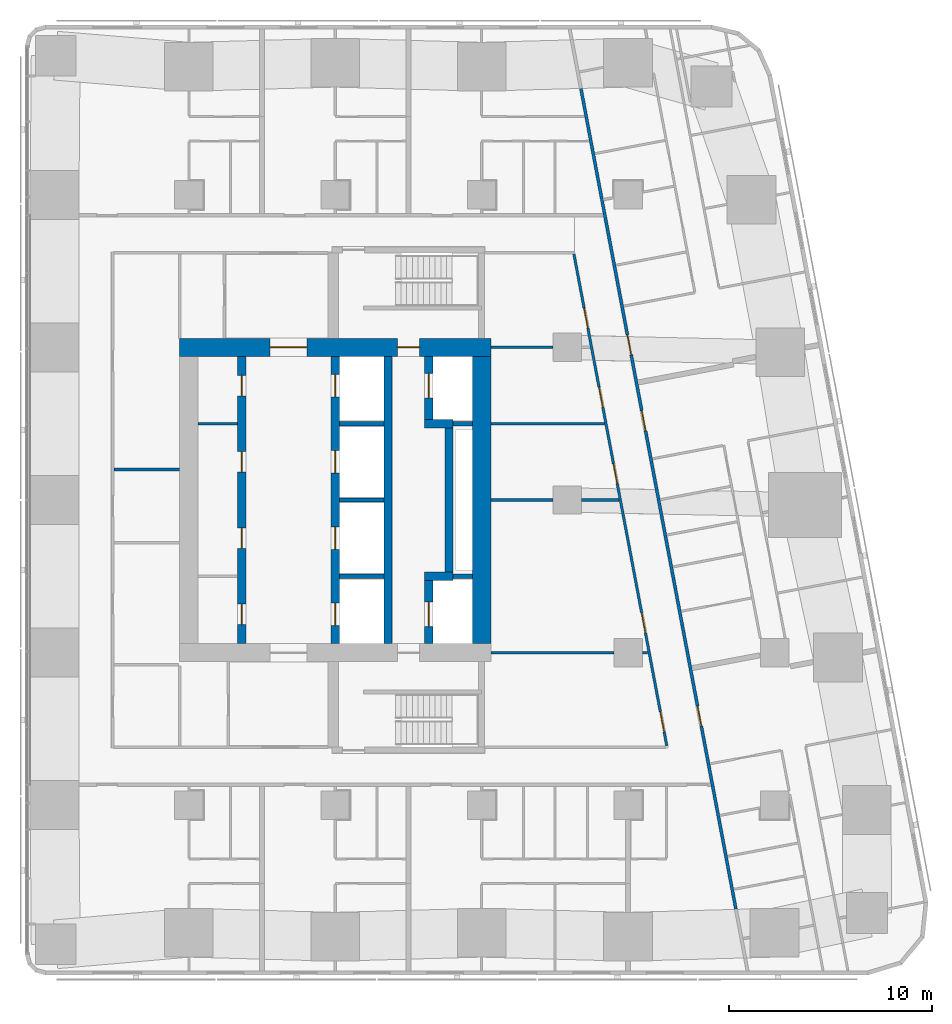
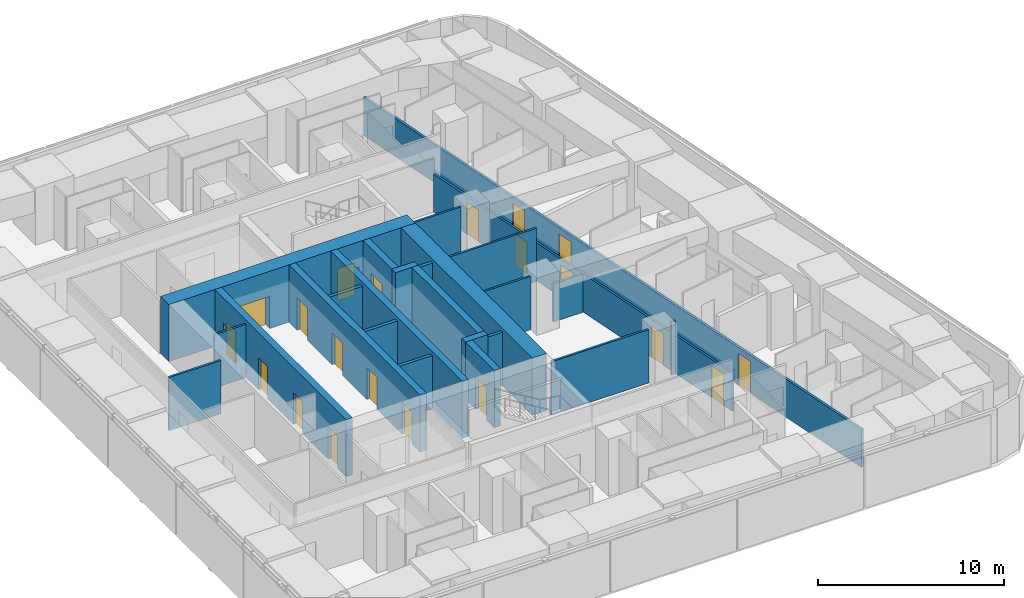
# One storey, part 9 of 17: 25 walls, 20 doors, 20 openings.
"""IFC4 building model written with IfcOpenShell, lengths in metres."""

from ifc_helpers import new_model, si_unit, direction, frame, frame_2d, origin, place, context, subcontext, project, spatial, rectangle, extrude, material, layer, layer_set, type_object, element, fill, save


model = new_model("IFC4")

# Units and contexts
model_context = context("Model", 3, precision=1e-05, world=origin(), true_north=direction((0.0, 1.0)))
body_context = subcontext(model_context, "Body", "Model", "MODEL_VIEW")
ifc_project = project(units=[si_unit("LENGTHUNIT", "METRE"), si_unit("AREAUNIT", "SQUARE_METRE"), si_unit("VOLUMEUNIT", "CUBIC_METRE"), si_unit("PLANEANGLEUNIT", "RADIAN"), si_unit("MASSUNIT", "GRAM", prefix="KILO")], contexts=[model_context])

# Site, building, storey
site_placement = place(None, origin())
site = spatial("IfcSite", under=ifc_project, at=site_placement, CompositionType="ELEMENT")
building_placement = place(site_placement, origin())
building = spatial("IfcBuilding", under=site, at=building_placement, Name="Sheger Commons Tower", CompositionType="ELEMENT")
storey_placement = place(building_placement, frame((0.0, 0.0, 208.699951171875)))
storey = spatial("IfcBuildingStorey", under=building, at=storey_placement, Name="L53", CompositionType="ELEMENT", Elevation=208.699951171875)

# Wall, openings, doors
ifc_material_1 = material(Name="Concrete C50/60", Category="concrete")
ifc_layer_1 = layer(ifc_material_1, 0.39990234375)
ifc_layer_set_1 = layer_set([ifc_layer_1], Name="CORE INNER WALL 400")
wall_type_1 = type_object("IfcWallType", Name="CORE INNER WALL 400", PredefinedType="SHEAR", material=ifc_layer_set_1)
wall_1_placement = place(storey_placement, frame((17.0, 15.449951171875, 0.0), z_axis=(0.0, 0.0, 1.0), x_axis=(0.0, 1.0, 0.0)))
wall_1 = element("IfcWall", 1, at=wall_1_placement, inside=storey, type_object=wall_type_1, Name="Core inner wall A L53", PredefinedType="SHEAR", context=body_context, shape_type="SweptSolid", body=[
    extrude(rectangle(XDim=14.10009765625, YDim=0.39990234375, at=frame_2d((7.050048828125, 0.0))), origin(), (0.0, 0.0, 1.0), 3.75),
])
opening_1_placement = place(wall_1_placement, frame((0.925048828125, 0.0, 0.0)))
opening_1 = element("IfcOpeningElement", 2, at=opening_1_placement, cuts=wall_1, Name="Opening D4", PredefinedType="OPENING", context=body_context, shape_type="SweptSolid", body=[
    extrude(rectangle(XDim=1.0, YDim=2.10009765625, at=frame_2d((0.5, 1.050048828125))), frame((0.0, 0.2099609375, 0.0), z_axis=(0.0, -1.0, 0.0), x_axis=(1.0, 0.0, 0.0)), (0.0, 0.0, 1.0), 0.419921875),
])
opening_2_placement = place(wall_1_placement, frame((4.675048828125, 0.0, 0.0)))
opening_2 = element("IfcOpeningElement", 3, at=opening_2_placement, cuts=wall_1, Name="Opening D4", PredefinedType="OPENING", context=body_context, shape_type="SweptSolid", body=[
    extrude(rectangle(XDim=1.0, YDim=2.10009765625, at=frame_2d((0.5, 1.050048828125))), frame((0.0, 0.2099609375, 0.0), z_axis=(0.0, -1.0, 0.0), x_axis=(1.0, 0.0, 0.0)), (0.0, 0.0, 1.0), 0.419921875),
])
opening_3_placement = place(wall_1_placement, frame((8.425048828125, 0.0, 0.0)))
opening_3 = element("IfcOpeningElement", 4, at=opening_3_placement, cuts=wall_1, Name="Opening D4", PredefinedType="OPENING", context=body_context, shape_type="SweptSolid", body=[
    extrude(rectangle(XDim=1.0, YDim=2.10009765625, at=frame_2d((0.5, 1.050048828125))), frame((0.0, 0.2099609375, 0.0), z_axis=(0.0, -1.0, 0.0), x_axis=(1.0, 0.0, 0.0)), (0.0, 0.0, 1.0), 0.419921875),
])
opening_4_placement = place(wall_1_placement, frame((12.175048828125, 0.0, 0.0)))
opening_4 = element("IfcOpeningElement", 5, at=opening_4_placement, cuts=wall_1, Name="Opening D4", PredefinedType="OPENING", context=body_context, shape_type="SweptSolid", body=[
    extrude(rectangle(XDim=1.0, YDim=2.10009765625, at=frame_2d((0.5, 1.050048828125))), frame((0.0, 0.2099609375, 0.0), z_axis=(0.0, -1.0, 0.0), x_axis=(1.0, 0.0, 0.0)), (0.0, 0.0, 1.0), 0.419921875),
])
ifc_material_2 = material(Name="Steel door set, fire rated", Category="steel")
door_type_1 = type_object("IfcDoorType", Name="SERVICE DOOR 1000x2100", OperationType="NOTDEFINED", PredefinedType="DOOR", material=ifc_material_2)
door_1_placement = place(opening_1_placement, origin())
door_1 = element("IfcDoor", 6, at=door_1_placement, inside=storey, type_object=door_type_1, Name="Staff WC door", OperationType="SINGLE_SWING_LEFT", OverallHeight=2.10009765625, OverallWidth=1.0, PredefinedType="DOOR", context=body_context, shape_type="SweptSolid", body=[
    extrude(rectangle(XDim=1.0, YDim=2.10009765625, at=frame_2d((0.5, 1.050048828125))), frame((0.0, 0.02490234375, 0.0), z_axis=(0.0, -1.0, 0.0), x_axis=(1.0, 0.0, 0.0)), (0.0, 0.0, 1.0), 0.050048828125),
])
fill(opening_1, door_1)
door_2_placement = place(opening_2_placement, origin())
door_2 = element("IfcDoor", 7, at=door_2_placement, inside=storey, type_object=door_type_1, Name="Recycling store door", OperationType="SINGLE_SWING_LEFT", OverallHeight=2.10009765625, OverallWidth=1.0, PredefinedType="DOOR", context=body_context, shape_type="SweptSolid", body=[
    extrude(rectangle(XDim=1.0, YDim=2.10009765625, at=frame_2d((0.5, 1.050048828125))), frame((0.0, 0.02490234375, 0.0), z_axis=(0.0, -1.0, 0.0), x_axis=(1.0, 0.0, 0.0)), (0.0, 0.0, 1.0), 0.050048828125),
])
fill(opening_2, door_2)
door_3_placement = place(opening_3_placement, origin())
door_3 = element("IfcDoor", 8, at=door_3_placement, inside=storey, type_object=door_type_1, Name="Recycling store door", OperationType="SINGLE_SWING_RIGHT", OverallHeight=2.10009765625, OverallWidth=1.0, PredefinedType="DOOR", context=body_context, shape_type="SweptSolid", body=[
    extrude(rectangle(XDim=1.0, YDim=2.10009765625, at=frame_2d((0.5, 1.050048828125))), frame((0.0, 0.02490234375, 0.0), z_axis=(0.0, -1.0, 0.0), x_axis=(1.0, 0.0, 0.0)), (0.0, 0.0, 1.0), 0.050048828125),
])
fill(opening_3, door_3)
door_4_placement = place(opening_4_placement, origin())
door_4 = element("IfcDoor", 9, at=door_4_placement, inside=storey, type_object=door_type_1, Name="IT and telecom room door", OperationType="SINGLE_SWING_RIGHT", OverallHeight=2.10009765625, OverallWidth=1.0, PredefinedType="DOOR", context=body_context, shape_type="SweptSolid", body=[
    extrude(rectangle(XDim=1.0, YDim=2.10009765625, at=frame_2d((0.5, 1.050048828125))), frame((0.0, 0.02490234375, 0.0), z_axis=(0.0, -1.0, 0.0), x_axis=(1.0, 0.0, 0.0)), (0.0, 0.0, 1.0), 0.050048828125),
])
fill(opening_4, door_4)

wall_2_placement = place(storey_placement, frame((21.60009765625, 15.449951171875, 0.0), z_axis=(0.0, 0.0, 1.0), x_axis=(0.0, 1.0, 0.0)))
wall_2 = element("IfcWall", 10, at=wall_2_placement, inside=storey, type_object=wall_type_1, Name="Core inner wall L L53", PredefinedType="SHEAR", context=body_context, shape_type="SweptSolid", body=[
    extrude(rectangle(XDim=14.10009765625, YDim=0.39990234375, at=frame_2d((7.050048828125, 0.0))), origin(), (0.0, 0.0, 1.0), 3.75),
])
opening_5_placement = place(wall_2_placement, frame((0.875, 0.0, 0.0)))
opening_5 = element("IfcOpeningElement", 11, at=opening_5_placement, cuts=wall_2, Name="Opening LD", PredefinedType="OPENING", context=body_context, shape_type="SweptSolid", body=[
    extrude(rectangle(XDim=1.10009765625, YDim=2.10009765625, at=frame_2d((0.550048828125, 1.050048828125))), frame((0.0, 0.2099609375, 0.0), z_axis=(0.0, -1.0, 0.0), x_axis=(1.0, 0.0, 0.0)), (0.0, 0.0, 1.0), 0.419921875),
])
opening_6_placement = place(wall_2_placement, frame((4.625, 0.0, 0.0)))
opening_6 = element("IfcOpeningElement", 12, at=opening_6_placement, cuts=wall_2, Name="Opening LD", PredefinedType="OPENING", context=body_context, shape_type="SweptSolid", body=[
    extrude(rectangle(XDim=1.10009765625, YDim=2.10009765625, at=frame_2d((0.550048828125, 1.050048828125))), frame((0.0, 0.2099609375, 0.0), z_axis=(0.0, -1.0, 0.0), x_axis=(1.0, 0.0, 0.0)), (0.0, 0.0, 1.0), 0.419921875),
])
opening_7_placement = place(wall_2_placement, frame((8.375, 0.0, 0.0)))
opening_7 = element("IfcOpeningElement", 13, at=opening_7_placement, cuts=wall_2, Name="Opening LD", PredefinedType="OPENING", context=body_context, shape_type="SweptSolid", body=[
    extrude(rectangle(XDim=1.10009765625, YDim=2.10009765625, at=frame_2d((0.550048828125, 1.050048828125))), frame((0.0, 0.2099609375, 0.0), z_axis=(0.0, -1.0, 0.0), x_axis=(1.0, 0.0, 0.0)), (0.0, 0.0, 1.0), 0.419921875),
])
opening_8_placement = place(wall_2_placement, frame((12.125, 0.0, 0.0)))
opening_8 = element("IfcOpeningElement", 14, at=opening_8_placement, cuts=wall_2, Name="Opening LD", PredefinedType="OPENING", context=body_context, shape_type="SweptSolid", body=[
    extrude(rectangle(XDim=1.10009765625, YDim=2.10009765625, at=frame_2d((0.550048828125, 1.050048828125))), frame((0.0, 0.2099609375, 0.0), z_axis=(0.0, -1.0, 0.0), x_axis=(1.0, 0.0, 0.0)), (0.0, 0.0, 1.0), 0.419921875),
])
ifc_material_3 = material(Name="Steel door set, fire rated", Category="steel")
door_type_2 = type_object("IfcDoorType", Name="LIFT LANDING DOOR 1100x2100", OperationType="DOUBLE_DOOR_SLIDING", PredefinedType="DOOR", material=ifc_material_3)
door_5_placement = place(opening_5_placement, origin())
door_5 = element("IfcDoor", 15, at=door_5_placement, inside=storey, type_object=door_type_2, Name="Lift LB1 landing door", OperationType="DOUBLE_DOOR_SLIDING", OverallHeight=2.10009765625, OverallWidth=1.10009765625, PredefinedType="DOOR", context=body_context, shape_type="SweptSolid", body=[
    extrude(rectangle(XDim=1.10009765625, YDim=2.10009765625, at=frame_2d((0.550048828125, 1.050048828125))), frame((0.0, 0.02490234375, 0.0), z_axis=(0.0, -1.0, 0.0), x_axis=(1.0, 0.0, 0.0)), (0.0, 0.0, 1.0), 0.050048828125),
])
fill(opening_5, door_5)
door_6_placement = place(opening_6_placement, origin())
door_6 = element("IfcDoor", 16, at=door_6_placement, inside=storey, type_object=door_type_2, Name="Lift LB2 landing door", OperationType="DOUBLE_DOOR_SLIDING", OverallHeight=2.10009765625, OverallWidth=1.10009765625, PredefinedType="DOOR", context=body_context, shape_type="SweptSolid", body=[
    extrude(rectangle(XDim=1.10009765625, YDim=2.10009765625, at=frame_2d((0.550048828125, 1.050048828125))), frame((0.0, 0.02490234375, 0.0), z_axis=(0.0, -1.0, 0.0), x_axis=(1.0, 0.0, 0.0)), (0.0, 0.0, 1.0), 0.050048828125),
])
fill(opening_6, door_6)
door_7_placement = place(opening_7_placement, origin())
door_7 = element("IfcDoor", 17, at=door_7_placement, inside=storey, type_object=door_type_2, Name="Lift LB3 landing door", OperationType="DOUBLE_DOOR_SLIDING", OverallHeight=2.10009765625, OverallWidth=1.10009765625, PredefinedType="DOOR", context=body_context, shape_type="SweptSolid", body=[
    extrude(rectangle(XDim=1.10009765625, YDim=2.10009765625, at=frame_2d((0.550048828125, 1.050048828125))), frame((0.0, 0.02490234375, 0.0), z_axis=(0.0, -1.0, 0.0), x_axis=(1.0, 0.0, 0.0)), (0.0, 0.0, 1.0), 0.050048828125),
])
fill(opening_7, door_7)
door_8_placement = place(opening_8_placement, origin())
door_8 = element("IfcDoor", 18, at=door_8_placement, inside=storey, type_object=door_type_2, Name="Lift LB4 landing door", OperationType="DOUBLE_DOOR_SLIDING", OverallHeight=2.10009765625, OverallWidth=1.10009765625, PredefinedType="DOOR", context=body_context, shape_type="SweptSolid", body=[
    extrude(rectangle(XDim=1.10009765625, YDim=2.10009765625, at=frame_2d((0.550048828125, 1.050048828125))), frame((0.0, 0.02490234375, 0.0), z_axis=(0.0, -1.0, 0.0), x_axis=(1.0, 0.0, 0.0)), (0.0, 0.0, 1.0), 0.050048828125),
])
fill(opening_8, door_8)

# Wall
wall_3_placement = place(storey_placement, frame((24.199951171875, 15.449951171875, 0.0), z_axis=(0.0, 0.0, 1.0), x_axis=(0.0, 1.0, 0.0)))
element("IfcWall", 19, at=wall_3_placement, inside=storey, type_object=wall_type_1, Name="Core inner wall B L53", PredefinedType="SHEAR", context=body_context, shape_type="SweptSolid", body=[
    extrude(rectangle(XDim=14.10009765625, YDim=0.39990234375, at=frame_2d((7.050048828125, 0.0))), origin(), (0.0, 0.0, 1.0), 3.75),
])

# Wall, opening, door
wall_4_placement = place(storey_placement, frame((26.199951171875, 15.449951171875, 0.0), z_axis=(0.0, 0.0, 1.0), x_axis=(0.0, 1.0, 0.0)))
wall_4 = element("IfcWall", 20, at=wall_4_placement, inside=storey, type_object=wall_type_1, Name="Core inner wall F L53", PredefinedType="SHEAR", context=body_context, shape_type="SweptSolid", body=[
    extrude(rectangle(XDim=3.10009765625, YDim=0.39990234375, at=frame_2d((1.550048828125, 0.0))), origin(), (0.0, 0.0, 1.0), 3.75),
])
opening_9_placement = place(wall_4_placement, frame((0.824951171875, 0.0, 0.0)))
opening_9 = element("IfcOpeningElement", 21, at=opening_9_placement, cuts=wall_4, Name="Opening LD2", PredefinedType="OPENING", context=body_context, shape_type="SweptSolid", body=[
    extrude(rectangle(XDim=1.199951171875, YDim=2.10009765625, at=frame_2d((0.60009765625, 1.050048828125))), frame((0.0, 0.2099609375, 0.0), z_axis=(0.0, -1.0, 0.0), x_axis=(1.0, 0.0, 0.0)), (0.0, 0.0, 1.0), 0.419921875),
])
ifc_material_4 = material(Name="Steel door set, fire rated", Category="steel")
door_type_3 = type_object("IfcDoorType", Name="FIREFIGHTING LIFT LANDING DOOR 1200x2100", OperationType="DOUBLE_DOOR_SLIDING", PredefinedType="DOOR", material=ifc_material_4)
door_9_placement = place(opening_9_placement, origin())
door_9 = element("IfcDoor", 22, at=door_9_placement, inside=storey, type_object=door_type_3, Name="Lift FL1 landing door", OperationType="DOUBLE_DOOR_SLIDING", OverallHeight=2.10009765625, OverallWidth=1.199951171875, PredefinedType="DOOR", context=body_context, shape_type="SweptSolid", body=[
    extrude(rectangle(XDim=1.199951171875, YDim=2.10009765625, at=frame_2d((0.60009765625, 1.050048828125))), frame((0.0, 0.02490234375, 0.0), z_axis=(0.0, -1.0, 0.0), x_axis=(1.0, 0.0, 0.0)), (0.0, 0.0, 1.0), 0.050048828125),
])
fill(opening_9, door_9)

# Walls
wall_5_placement = place(storey_placement, frame((26.0, 18.75, 0.0), z_axis=(0.0, 0.0, 1.0), x_axis=(1.0, 0.0, 0.0)))
element("IfcWall", 23, at=wall_5_placement, inside=storey, type_object=wall_type_1, Name="Core inner wall F south return L53", PredefinedType="SHEAR", context=body_context, shape_type="SweptSolid", body=[
    extrude(rectangle(XDim=1.39990234375, YDim=0.39990234375, at=frame_2d((0.699951171875, 0.0))), origin(), (0.0, 0.0, 1.0), 3.75),
])
wall_6_placement = place(storey_placement, frame((27.199951171875, 18.949951171875, 0.0), z_axis=(0.0, 0.0, 1.0), x_axis=(0.0, 1.0, 0.0)))
element("IfcWall", 24, at=wall_6_placement, inside=storey, type_object=wall_type_1, Name="Core inner wall F middle L53", PredefinedType="SHEAR", context=body_context, shape_type="SweptSolid", body=[
    extrude(rectangle(XDim=7.10009765625, YDim=0.39990234375, at=frame_2d((3.550048828125, 0.0))), origin(), (0.0, 0.0, 1.0), 3.75),
])
wall_7_placement = place(storey_placement, frame((26.0, 26.25, 0.0), z_axis=(0.0, 0.0, 1.0), x_axis=(1.0, 0.0, 0.0)))
element("IfcWall", 25, at=wall_7_placement, inside=storey, type_object=wall_type_1, Name="Core inner wall F north return L53", PredefinedType="SHEAR", context=body_context, shape_type="SweptSolid", body=[
    extrude(rectangle(XDim=1.39990234375, YDim=0.39990234375, at=frame_2d((0.699951171875, 0.0))), origin(), (0.0, 0.0, 1.0), 3.75),
])

# Wall, opening, door
wall_8_placement = place(storey_placement, frame((26.199951171875, 26.449951171875, 0.0), z_axis=(0.0, 0.0, 1.0), x_axis=(0.0, 1.0, 0.0)))
wall_8 = element("IfcWall", 26, at=wall_8_placement, inside=storey, type_object=wall_type_1, Name="Core inner wall F north L53", PredefinedType="SHEAR", context=body_context, shape_type="SweptSolid", body=[
    extrude(rectangle(XDim=3.10009765625, YDim=0.39990234375, at=frame_2d((1.550048828125, 0.0))), origin(), (0.0, 0.0, 1.0), 3.75),
])
opening_10_placement = place(wall_8_placement, frame((1.074951171875, 0.0, 0.0)))
opening_10 = element("IfcOpeningElement", 27, at=opening_10_placement, cuts=wall_8, Name="Opening LD2", PredefinedType="OPENING", context=body_context, shape_type="SweptSolid", body=[
    extrude(rectangle(XDim=1.199951171875, YDim=2.10009765625, at=frame_2d((0.60009765625, 1.050048828125))), frame((0.0, 0.2099609375, 0.0), z_axis=(0.0, -1.0, 0.0), x_axis=(1.0, 0.0, 0.0)), (0.0, 0.0, 1.0), 0.419921875),
])
door_10_placement = place(opening_10_placement, origin())
door_10 = element("IfcDoor", 28, at=door_10_placement, inside=storey, type_object=door_type_3, Name="Lift FL2 landing door", OperationType="DOUBLE_DOOR_SLIDING", OverallHeight=2.10009765625, OverallWidth=1.199951171875, PredefinedType="DOOR", context=body_context, shape_type="SweptSolid", body=[
    extrude(rectangle(XDim=1.199951171875, YDim=2.10009765625, at=frame_2d((0.60009765625, 1.050048828125))), frame((0.0, 0.02490234375, 0.0), z_axis=(0.0, -1.0, 0.0), x_axis=(1.0, 0.0, 0.0)), (0.0, 0.0, 1.0), 0.050048828125),
])
fill(opening_10, door_10)

# Wall, openings, doors
ifc_material_5 = material(Name="Concrete C50/60", Category="concrete")
ifc_layer_2 = layer(ifc_material_5, 0.89990234375)
ifc_layer_set_2 = layer_set([ifc_layer_2], Name="CORE WALL 900")
wall_type_2 = type_object("IfcWallType", Name="CORE WALL 900", PredefinedType="SHEAR", material=ifc_layer_set_2)
wall_9_placement = place(storey_placement, frame((13.949951171875, 30.0, 0.0), z_axis=(0.0, 0.0, 1.0), x_axis=(1.0, 0.0, 0.0)))
wall_9 = element("IfcWall", 29, at=wall_9_placement, inside=storey, type_object=wall_type_2, Name="Core wall north L53", PredefinedType="SHEAR", context=body_context, shape_type="SweptSolid", body=[
    extrude(rectangle(XDim=15.300048828125, YDim=0.89990234375, at=frame_2d((7.64990234375, 0.0))), origin(), (0.0, 0.0, 1.0), 3.75),
])
opening_11_placement = place(wall_9_placement, frame((4.449951171875, 0.0, 0.0)))
opening_11 = element("IfcOpeningElement", 30, at=opening_11_placement, cuts=wall_9, Name="Opening D6", PredefinedType="OPENING", context=body_context, shape_type="SweptSolid", body=[
    extrude(rectangle(XDim=1.800048828125, YDim=2.10009765625, at=frame_2d((0.89990234375, 1.050048828125))), frame((0.0, 0.4599609375, 0.0), z_axis=(0.0, -1.0, 0.0), x_axis=(1.0, 0.0, 0.0)), (0.0, 0.0, 1.0), 0.919921875),
])
opening_12_placement = place(wall_9_placement, frame((10.699951171875, 0.0, 0.0)))
opening_12 = element("IfcOpeningElement", 31, at=opening_12_placement, cuts=wall_9, Name="Opening D5", PredefinedType="OPENING", context=body_context, shape_type="SweptSolid", body=[
    extrude(rectangle(XDim=1.10009765625, YDim=2.10009765625, at=frame_2d((0.550048828125, 1.050048828125))), frame((0.0, 0.4599609375, 0.0), z_axis=(0.0, -1.0, 0.0), x_axis=(1.0, 0.0, 0.0)), (0.0, 0.0, 1.0), 0.919921875),
])
ifc_material_6 = material(Name="Steel door set, fire rated", Category="steel")
door_type_4 = type_object("IfcDoorType", Name="LOBBY DOUBLE DOOR 1800x2100", OperationType="DOUBLE_DOOR_SINGLE_SWING", PredefinedType="DOOR", material=ifc_material_6)
door_11_placement = place(opening_11_placement, origin())
door_11 = element("IfcDoor", 32, at=door_11_placement, inside=storey, type_object=door_type_4, Name="Lift lobby door", OperationType="DOUBLE_DOOR_SINGLE_SWING", OverallHeight=2.10009765625, OverallWidth=1.800048828125, PredefinedType="DOOR", context=body_context, shape_type="SweptSolid", body=[
    extrude(rectangle(XDim=1.800048828125, YDim=2.10009765625, at=frame_2d((0.89990234375, 1.050048828125))), frame((0.0, 0.02490234375, 0.0), z_axis=(0.0, -1.0, 0.0), x_axis=(1.0, 0.0, 0.0)), (0.0, 0.0, 1.0), 0.050048828125),
])
fill(opening_11, door_11)
ifc_material_7 = material(Name="Steel door set, fire rated", Category="steel")
door_type_5 = type_object("IfcDoorType", Name="STAIR DOOR 1100x2100", OperationType="NOTDEFINED", PredefinedType="DOOR", material=ifc_material_7)
door_12_placement = place(opening_12_placement, origin())
door_12 = element("IfcDoor", 33, at=door_12_placement, inside=storey, type_object=door_type_5, Name="Fire-fighting lobby door", OperationType="SINGLE_SWING_LEFT", OverallHeight=2.10009765625, OverallWidth=1.10009765625, PredefinedType="DOOR", context=body_context, shape_type="SweptSolid", body=[
    extrude(rectangle(XDim=1.10009765625, YDim=2.10009765625, at=frame_2d((0.550048828125, 1.050048828125))), frame((0.0, 0.02490234375, 0.0), z_axis=(0.0, -1.0, 0.0), x_axis=(1.0, 0.0, 0.0)), (0.0, 0.0, 1.0), 0.050048828125),
])
fill(opening_12, door_12)

# Wall
wall_10_placement = place(storey_placement, frame((28.800048828125, 15.449951171875, 0.0), z_axis=(0.0, 0.0, 1.0), x_axis=(0.0, 1.0, 0.0)))
element("IfcWall", 34, at=wall_10_placement, inside=storey, type_object=wall_type_2, Name="Core wall east L53", PredefinedType="SHEAR", context=body_context, shape_type="SweptSolid", body=[
    extrude(rectangle(XDim=14.10009765625, YDim=0.89990234375, at=frame_2d((7.050048828125, 0.0))), origin(), (0.0, 0.0, 1.0), 3.75),
])

# Wall, openings, doors
ifc_material_8 = material(Name="Hollow concrete block masonry, skimmed both sides", Category="masonry")
ifc_layer_3 = layer(ifc_material_8, 0.14990234375)
ifc_layer_set_3 = layer_set([ifc_layer_3], Name="CORRIDOR WALL 150")
wall_type_3 = type_object("IfcWallType", Name="CORRIDOR WALL 150", PredefinedType="SOLIDWALL", material=ifc_layer_set_3)
wall_11_placement = place(storey_placement, frame((33.679931640625, 42.722900390625, 0.0), z_axis=(0.0, 0.0, 1.0), x_axis=(0.185601160014, -0.982625162207, 0.0)))
wall_11 = element("IfcWall", 35, at=wall_11_placement, inside=storey, type_object=wall_type_3, Name="Corridor wall L53", PredefinedType="SOLIDWALL", context=body_context, shape_type="SweptSolid", body=[
    extrude(rectangle(XDim=41.05126953125, YDim=0.14990234375, at=frame_2d((20.525634765625, 0.0))), origin(), (0.0, 0.0, 1.0), 2.5),
])
opening_13_placement = place(wall_11_placement, frame((12.306884765625, 0.0, 0.0)))
opening_13 = element("IfcOpeningElement", 36, at=opening_13_placement, cuts=wall_11, Name="Opening D1", PredefinedType="OPENING", context=body_context, shape_type="SweptSolid", body=[
    extrude(rectangle(XDim=1.0, YDim=2.10009765625, at=frame_2d((0.5, 1.050048828125))), frame((0.0, 0.0849609375, 0.0), z_axis=(0.0, -1.0, 0.0), x_axis=(1.0, 0.0, 0.0)), (0.0, 0.0, 1.0), 0.169921875),
])
opening_14_placement = place(wall_11_placement, frame((16.123046875, 0.0, 0.0)))
opening_14 = element("IfcOpeningElement", 37, at=opening_14_placement, cuts=wall_11, Name="Opening D1", PredefinedType="OPENING", context=body_context, shape_type="SweptSolid", body=[
    extrude(rectangle(XDim=1.0, YDim=2.10009765625, at=frame_2d((0.5, 1.050048828125))), frame((0.0, 0.0849609375, 0.0), z_axis=(0.0, -1.0, 0.0), x_axis=(1.0, 0.0, 0.0)), (0.0, 0.0, 1.0), 0.169921875),
])
opening_15_placement = place(wall_11_placement, frame((30.902099609375, 0.0, 0.0)))
opening_15 = element("IfcOpeningElement", 38, at=opening_15_placement, cuts=wall_11, Name="Opening D1", PredefinedType="OPENING", context=body_context, shape_type="SweptSolid", body=[
    extrude(rectangle(XDim=1.0, YDim=2.10009765625, at=frame_2d((0.5, 1.050048828125))), frame((0.0, 0.0849609375, 0.0), z_axis=(0.0, -1.0, 0.0), x_axis=(1.0, 0.0, 0.0)), (0.0, 0.0, 1.0), 0.169921875),
])
ifc_material_9 = material(Name="Steel door set, fire rated", Category="steel")
door_type_6 = type_object("IfcDoorType", Name="FLAT ENTRANCE DOOR 1000x2100", OperationType="NOTDEFINED", PredefinedType="DOOR", material=ifc_material_9)
door_13_placement = place(opening_13_placement, origin())
door_13 = element("IfcDoor", 39, at=door_13_placement, inside=storey, type_object=door_type_6, Name="Flat entrance door", OperationType="SINGLE_SWING_RIGHT", OverallHeight=2.10009765625, OverallWidth=1.0, PredefinedType="DOOR", context=body_context, shape_type="SweptSolid", body=[
    extrude(rectangle(XDim=1.0, YDim=2.10009765625, at=frame_2d((0.5, 1.050048828125))), frame((0.0, 0.02490234375, 0.0), z_axis=(0.0, -1.0, 0.0), x_axis=(1.0, 0.0, 0.0)), (0.0, 0.0, 1.0), 0.050048828125),
])
fill(opening_13, door_13)
door_14_placement = place(opening_14_placement, origin())
door_14 = element("IfcDoor", 40, at=door_14_placement, inside=storey, type_object=door_type_6, Name="Flat entrance door", OperationType="SINGLE_SWING_LEFT", OverallHeight=2.10009765625, OverallWidth=1.0, PredefinedType="DOOR", context=body_context, shape_type="SweptSolid", body=[
    extrude(rectangle(XDim=1.0, YDim=2.10009765625, at=frame_2d((0.5, 1.050048828125))), frame((0.0, 0.02490234375, 0.0), z_axis=(0.0, -1.0, 0.0), x_axis=(1.0, 0.0, 0.0)), (0.0, 0.0, 1.0), 0.050048828125),
])
fill(opening_14, door_14)
door_15_placement = place(opening_15_placement, origin())
door_15 = element("IfcDoor", 41, at=door_15_placement, inside=storey, type_object=door_type_6, Name="Flat entrance door", OperationType="SINGLE_SWING_LEFT", OverallHeight=2.10009765625, OverallWidth=1.0, PredefinedType="DOOR", context=body_context, shape_type="SweptSolid", body=[
    extrude(rectangle(XDim=1.0, YDim=2.10009765625, at=frame_2d((0.5, 1.050048828125))), frame((0.0, 0.02490234375, 0.0), z_axis=(0.0, -1.0, 0.0), x_axis=(1.0, 0.0, 0.0)), (0.0, 0.0, 1.0), 0.050048828125),
])
fill(opening_15, door_15)

# Wall
ifc_material_10 = material(Name="Gypsum board on steel studs, two layers each side, fire rated", Category="steel")
ifc_layer_4 = layer(ifc_material_10, 0.125)
ifc_layer_set_4 = layer_set([ifc_layer_4], Name="SERVICE WALL 125")
wall_type_4 = type_object("IfcWallType", Name="SERVICE WALL 125", PredefinedType="PARTITIONING", material=ifc_layer_set_4)
wall_12_placement = place(storey_placement, frame((10.712890625, 24.0, 0.0), z_axis=(0.0, 0.0, 1.0), x_axis=(1.0, 0.0, 0.0)))
element("IfcWall", 42, at=wall_12_placement, inside=storey, type_object=wall_type_4, Name="Service room wall L53", PredefinedType="PARTITIONING", context=body_context, shape_type="SweptSolid", body=[
    extrude(rectangle(XDim=3.237060546875, YDim=0.125, at=frame_2d((1.61865234375, 0.0))), origin(), (0.0, 0.0, 1.0), 3.5),
])

# Wall, openings, doors
wall_13_placement = place(storey_placement, frame((37.89990234375, 10.4130859375, 0.0), z_axis=(0.0, 0.0, 1.0), x_axis=(-0.185589740669, 0.982627319058, 0.0)))
wall_13 = element("IfcWall", 43, at=wall_13_placement, inside=storey, type_object=wall_type_4, Name="Service room wall L53", PredefinedType="PARTITIONING", context=body_context, shape_type="SweptSolid", body=[
    extrude(rectangle(XDim=24.602294921875, YDim=0.125, at=frame_2d((12.30126953125, 0.0))), origin(), (0.0, 0.0, 1.0), 2.5),
])
opening_16_placement = place(wall_13_placement, frame((0.7080078125, 0.0, 0.0)))
opening_16 = element("IfcOpeningElement", 44, at=opening_16_placement, cuts=wall_13, Name="Opening D4", PredefinedType="OPENING", context=body_context, shape_type="SweptSolid", body=[
    extrude(rectangle(XDim=1.0, YDim=2.10009765625, at=frame_2d((0.5, 1.050048828125))), frame((0.0, 0.072509765625, 0.0), z_axis=(0.0, -1.0, 0.0), x_axis=(1.0, 0.0, 0.0)), (0.0, 0.0, 1.0), 0.14501953125),
])
opening_17_placement = place(wall_13_placement, frame((5.64990234375, 0.0, 0.0)))
opening_17 = element("IfcOpeningElement", 45, at=opening_17_placement, cuts=wall_13, Name="Opening D4", PredefinedType="OPENING", context=body_context, shape_type="SweptSolid", body=[
    extrude(rectangle(XDim=1.0, YDim=2.10009765625, at=frame_2d((0.5, 1.050048828125))), frame((0.0, 0.072509765625, 0.0), z_axis=(0.0, -1.0, 0.0), x_axis=(1.0, 0.0, 0.0)), (0.0, 0.0, 1.0), 0.14501953125),
])
opening_18_placement = place(wall_13_placement, frame((13.1240234375, 0.0, 0.0)))
opening_18 = element("IfcOpeningElement", 46, at=opening_18_placement, cuts=wall_13, Name="Opening D4", PredefinedType="OPENING", context=body_context, shape_type="SweptSolid", body=[
    extrude(rectangle(XDim=1.0, YDim=2.10009765625, at=frame_2d((0.5, 1.050048828125))), frame((0.0, 0.072509765625, 0.0), z_axis=(0.0, -1.0, 0.0), x_axis=(1.0, 0.0, 0.0)), (0.0, 0.0, 1.0), 0.14501953125),
])
opening_19_placement = place(wall_13_placement, frame((16.93994140625, 0.0, 0.0)))
opening_19 = element("IfcOpeningElement", 47, at=opening_19_placement, cuts=wall_13, Name="Opening D4", PredefinedType="OPENING", context=body_context, shape_type="SweptSolid", body=[
    extrude(rectangle(XDim=1.0, YDim=2.10009765625, at=frame_2d((0.5, 1.050048828125))), frame((0.0, 0.072509765625, 0.0), z_axis=(0.0, -1.0, 0.0), x_axis=(1.0, 0.0, 0.0)), (0.0, 0.0, 1.0), 0.14501953125),
])
opening_20_placement = place(wall_13_placement, frame((20.89990234375, 0.0, 0.0)))
opening_20 = element("IfcOpeningElement", 48, at=opening_20_placement, cuts=wall_13, Name="Opening D4", PredefinedType="OPENING", context=body_context, shape_type="SweptSolid", body=[
    extrude(rectangle(XDim=1.0, YDim=2.10009765625, at=frame_2d((0.5, 1.050048828125))), frame((0.0, 0.072509765625, 0.0), z_axis=(0.0, -1.0, 0.0), x_axis=(1.0, 0.0, 0.0)), (0.0, 0.0, 1.0), 0.14501953125),
])
door_16_placement = place(opening_16_placement, origin())
door_16 = element("IfcDoor", 49, at=door_16_placement, inside=storey, type_object=door_type_1, Name="Residents' meeting room door", OperationType="SINGLE_SWING_LEFT", OverallHeight=2.10009765625, OverallWidth=1.0, PredefinedType="DOOR", context=body_context, shape_type="SweptSolid", body=[
    extrude(rectangle(XDim=1.0, YDim=2.10009765625, at=frame_2d((0.5, 1.050048828125))), frame((0.0, 0.02490234375, 0.0), z_axis=(0.0, -1.0, 0.0), x_axis=(1.0, 0.0, 0.0)), (0.0, 0.0, 1.0), 0.050048828125),
])
fill(opening_16, door_16)
door_17_placement = place(opening_17_placement, origin())
door_17 = element("IfcDoor", 50, at=door_17_placement, inside=storey, type_object=door_type_1, Name="Children's play room door", OperationType="SINGLE_SWING_LEFT", OverallHeight=2.10009765625, OverallWidth=1.0, PredefinedType="DOOR", context=body_context, shape_type="SweptSolid", body=[
    extrude(rectangle(XDim=1.0, YDim=2.10009765625, at=frame_2d((0.5, 1.050048828125))), frame((0.0, 0.02490234375, 0.0), z_axis=(0.0, -1.0, 0.0), x_axis=(1.0, 0.0, 0.0)), (0.0, 0.0, 1.0), 0.050048828125),
])
fill(opening_17, door_17)
door_18_placement = place(opening_18_placement, origin())
door_18 = element("IfcDoor", 51, at=door_18_placement, inside=storey, type_object=door_type_1, Name="Caretaker's store door", OperationType="SINGLE_SWING_LEFT", OverallHeight=2.10009765625, OverallWidth=1.0, PredefinedType="DOOR", context=body_context, shape_type="SweptSolid", body=[
    extrude(rectangle(XDim=1.0, YDim=2.10009765625, at=frame_2d((0.5, 1.050048828125))), frame((0.0, 0.02490234375, 0.0), z_axis=(0.0, -1.0, 0.0), x_axis=(1.0, 0.0, 0.0)), (0.0, 0.0, 1.0), 0.050048828125),
])
fill(opening_18, door_18)
door_19_placement = place(opening_19_placement, origin())
door_19 = element("IfcDoor", 52, at=door_19_placement, inside=storey, type_object=door_type_1, Name="Residents' store door", OperationType="SINGLE_SWING_LEFT", OverallHeight=2.10009765625, OverallWidth=1.0, PredefinedType="DOOR", context=body_context, shape_type="SweptSolid", body=[
    extrude(rectangle(XDim=1.0, YDim=2.10009765625, at=frame_2d((0.5, 1.050048828125))), frame((0.0, 0.02490234375, 0.0), z_axis=(0.0, -1.0, 0.0), x_axis=(1.0, 0.0, 0.0)), (0.0, 0.0, 1.0), 0.050048828125),
])
fill(opening_19, door_19)
door_20_placement = place(opening_20_placement, origin())
door_20 = element("IfcDoor", 53, at=door_20_placement, inside=storey, type_object=door_type_1, Name="Parcel and delivery room door", OperationType="SINGLE_SWING_LEFT", OverallHeight=2.10009765625, OverallWidth=1.0, PredefinedType="DOOR", context=body_context, shape_type="SweptSolid", body=[
    extrude(rectangle(XDim=1.0, YDim=2.10009765625, at=frame_2d((0.5, 1.050048828125))), frame((0.0, 0.02490234375, 0.0), z_axis=(0.0, -1.0, 0.0), x_axis=(1.0, 0.0, 0.0)), (0.0, 0.0, 1.0), 0.050048828125),
])
fill(opening_20, door_20)

# Walls
wall_14_placement = place(storey_placement, frame((29.25, 15.0, 0.0), z_axis=(0.0, 0.0, 1.0), x_axis=(1.0, 0.0, 0.0)))
element("IfcWall", 54, at=wall_14_placement, inside=storey, type_object=wall_type_4, Name="Service room wall L53", PredefinedType="PARTITIONING", context=body_context, shape_type="SweptSolid", body=[
    extrude(rectangle(XDim=6.049072265625, YDim=0.125, at=frame_2d((3.0244140625, 0.0))), origin(), (0.0, 0.0, 1.0), 3.5),
])
wall_15_placement = place(storey_placement, frame((36.700927734375, 15.0, 0.0), z_axis=(0.0, 0.0, 1.0), x_axis=(1.0, 0.0, 0.0)))
element("IfcWall", 55, at=wall_15_placement, inside=storey, type_object=wall_type_4, Name="Service room wall L53", PredefinedType="PARTITIONING", context=body_context, shape_type="SweptSolid", body=[
    extrude(rectangle(XDim=0.257080078125, YDim=0.125, at=frame_2d((0.12841796875, 0.0))), origin(), (0.0, 0.0, 1.0), 3.5),
])
wall_16_placement = place(storey_placement, frame((29.25, 22.5, 0.0), z_axis=(0.0, 0.0, 1.0), x_axis=(1.0, 0.0, 0.0)))
element("IfcWall", 56, at=wall_16_placement, inside=storey, type_object=wall_type_4, Name="Service room wall L53", PredefinedType="PARTITIONING", context=body_context, shape_type="SweptSolid", body=[
    extrude(rectangle(XDim=3.049072265625, YDim=0.125, at=frame_2d((1.5244140625, 0.0))), origin(), (0.0, 0.0, 1.0), 3.5),
])
wall_17_placement = place(storey_placement, frame((33.700927734375, 22.5, 0.0), z_axis=(0.0, 0.0, 1.0), x_axis=(1.0, 0.0, 0.0)))
element("IfcWall", 57, at=wall_17_placement, inside=storey, type_object=wall_type_4, Name="Service room wall L53", PredefinedType="PARTITIONING", context=body_context, shape_type="SweptSolid", body=[
    extrude(rectangle(XDim=1.841064453125, YDim=0.125, at=frame_2d((0.92041015625, 0.0))), origin(), (0.0, 0.0, 1.0), 2.5),
])
wall_18_placement = place(storey_placement, frame((29.25, 26.25, 0.0), z_axis=(0.0, 0.0, 1.0), x_axis=(1.0, 0.0, 0.0)))
element("IfcWall", 58, at=wall_18_placement, inside=storey, type_object=wall_type_4, Name="Service room wall L53", PredefinedType="PARTITIONING", context=body_context, shape_type="SweptSolid", body=[
    extrude(rectangle(XDim=5.5830078125, YDim=0.125, at=frame_2d((2.79150390625, 0.0))), origin(), (0.0, 0.0, 1.0), 3.5),
])
wall_19_placement = place(storey_placement, frame((29.25, 30.0, 0.0), z_axis=(0.0, 0.0, 1.0), x_axis=(1.0, 0.0, 0.0)))
element("IfcWall", 59, at=wall_19_placement, inside=storey, type_object=wall_type_4, Name="Service room wall L53", PredefinedType="PARTITIONING", context=body_context, shape_type="SweptSolid", body=[
    extrude(rectangle(XDim=3.049072265625, YDim=0.125, at=frame_2d((1.5244140625, 0.0))), origin(), (0.0, 0.0, 1.0), 3.5),
])
wall_20_placement = place(storey_placement, frame((14.85009765625, 26.25, 0.0), z_axis=(0.0, 0.0, 1.0), x_axis=(1.0, 0.0, 0.0)))
element("IfcWall", 60, at=wall_20_placement, inside=storey, type_object=wall_type_4, Name="Service room wall L53", PredefinedType="PARTITIONING", context=body_context, shape_type="SweptSolid", body=[
    extrude(rectangle(XDim=1.949951171875, YDim=0.125, at=frame_2d((0.97509765625, 0.0))), origin(), (0.0, 0.0, 1.0), 3.5),
])
ifc_material_11 = material(Name="Hollow concrete block masonry", Category="masonry")
ifc_layer_5 = layer(ifc_material_11, 0.199951171875)
ifc_layer_set_5 = layer_set([ifc_layer_5], Name="SHAFT WALL 200")
wall_type_5 = type_object("IfcWallType", Name="SHAFT WALL 200", PredefinedType="SOLIDWALL", material=ifc_layer_set_5)
for number, where, z_axis, x_axis, name in (
    (61, (21.800048828125, 18.75, 0.0), (0.0, 0.0, 1.0), (1.0, 0.0, 0.0), "Lift shaft wall L53"),
    (62, (21.800048828125, 22.5, 0.0), (0.0, 0.0, 1.0), (1.0, 0.0, 0.0), "Lift shaft wall L53"),
    (63, (21.800048828125, 26.25, 0.0), (0.0, 0.0, 1.0), (1.0, 0.0, 0.0), "Lift shaft wall L53"),
):
    element("IfcWall", number, at=place(storey_placement, frame(where, z_axis=z_axis, x_axis=x_axis)), inside=storey, type_object=wall_type_5, Name=name, PredefinedType="SOLIDWALL", context=body_context, shape_type="SweptSolid", body=[
        extrude(rectangle(XDim=2.199951171875, YDim=0.199951171875, at=frame_2d((1.10009765625, 0.0))), origin(), (0.0, 0.0, 1.0), 3.5),
    ])
for number, where, z_axis, x_axis, name in (
    (64, (27.39990234375, 18.75, 0.0), (0.0, 0.0, 1.0), (1.0, 0.0, 0.0), "Lift shaft wall L53"),
    (65, (27.39990234375, 26.25, 0.0), (0.0, 0.0, 1.0), (1.0, 0.0, 0.0), "Lift shaft wall L53"),
):
    element("IfcWall", number, at=place(storey_placement, frame(where, z_axis=z_axis, x_axis=x_axis)), inside=storey, type_object=wall_type_5, Name=name, PredefinedType="SOLIDWALL", context=body_context, shape_type="SweptSolid", body=[
        extrude(rectangle(XDim=0.9501953125, YDim=0.199951171875, at=frame_2d((0.47509765625, 0.0))), origin(), (0.0, 0.0, 1.0), 3.5),
    ])

save(model, "model.ifc")
